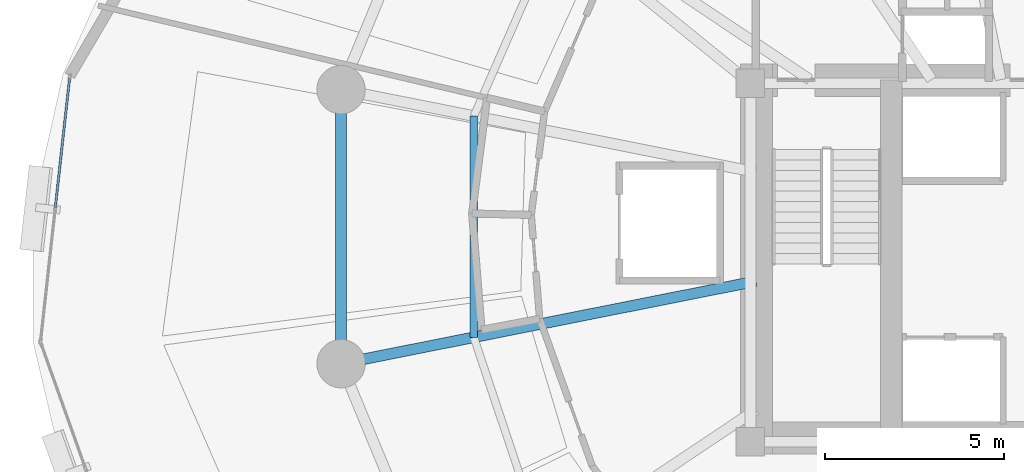
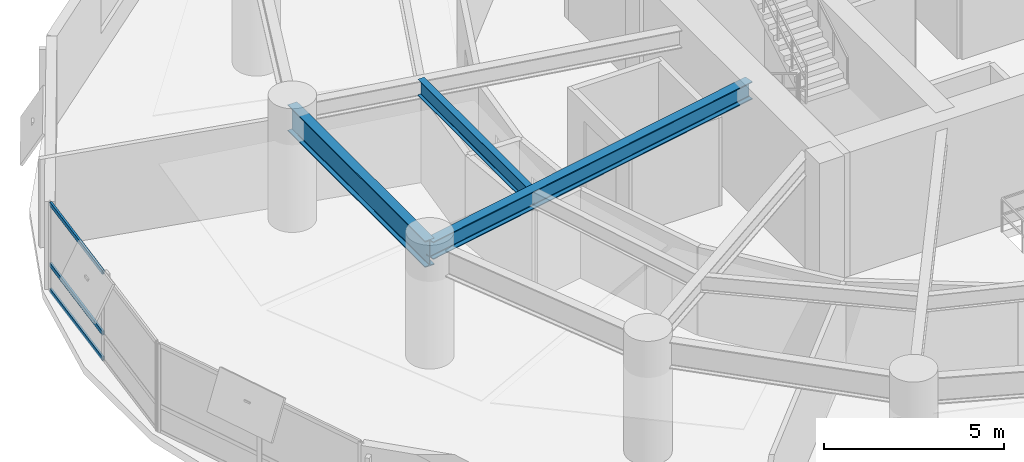
# One storey, part 5 of 17: 3 beams, 3 members, 1 element without a shape of its own.
"""IFC4 building model written with IfcOpenShell, lengths in metres."""

from ifc_helpers import new_model, si_unit, direction, frame, origin, origin_2d, place, context, subcontext, project, spatial, hollow_rectangle, i_section, extrude, material, layer, layer_set, material_profile, profile_set, type_object, element, aggregate, save


model = new_model("IFC4")

# Units and contexts
model_context = context("Model", 3, precision=1e-05, world=origin(), true_north=direction((0.0, 1.0)))
body_context = subcontext(model_context, "Body", "Model", "MODEL_VIEW")
ifc_project = project(units=[si_unit("LENGTHUNIT", "METRE"), si_unit("AREAUNIT", "SQUARE_METRE"), si_unit("VOLUMEUNIT", "CUBIC_METRE"), si_unit("PLANEANGLEUNIT", "RADIAN"), si_unit("MASSUNIT", "GRAM", prefix="KILO"), si_unit("THERMODYNAMICTEMPERATUREUNIT", "KELVIN"), si_unit("POWERUNIT", "WATT")], contexts=[model_context])

# Site, building, storey
site_placement = place(None, origin())
site = spatial("IfcSite", under=ifc_project, at=site_placement, CompositionType="ELEMENT")
building_placement = place(site_placement, origin())
building = spatial("IfcBuilding", under=site, at=building_placement, Name="Ocrelia Relay Tower", CompositionType="ELEMENT")
storey_placement = place(building_placement, frame((0.0, 0.0, 59.39990234375)))
storey = spatial("IfcBuildingStorey", under=building, at=storey_placement, Name="L13", CompositionType="ELEMENT", Elevation=59.39990234375)

# Beams
ifc_material_1 = material(Name="Steel S355", Category="steel")
ifc_material_profile_1 = material_profile(ifc_material_1, i_section(OverallWidth=0.300048828125, OverallDepth=0.60009765625, WebThickness=0.015380859375, FlangeThickness=0.030029296875, FilletRadius=0.027099609375, at=origin_2d()), Name="HEB 600")
ifc_profile_set_1 = profile_set([ifc_material_profile_1], Name="Steel S355")
beam_type_1 = type_object("IfcBeamType", Name="BM-HEB600", PredefinedType="BEAM", material=ifc_profile_set_1)
beam_1_placement = place(storey_placement, frame((14.776611328125, 22.17626953125, 3.6201171875), z_axis=(0.980786938484, 0.195081986098, 0.0), x_axis=(-0.195081986098, 0.980786938484, 0.0)))
element("IfcBeam", 1, at=beam_1_placement, inside=storey, type_object=beam_type_1, Name="L13 Radial Floor Girder R09", PredefinedType="BEAM", context=body_context, shape_type="SweptSolid", body=[
    extrude(i_section(OverallWidth=0.300048828125, OverallDepth=0.60009765625, WebThickness=0.015380859375, FlangeThickness=0.030029296875, FilletRadius=0.027099609375, at=origin_2d()), origin(), (0.0, 0.0, 1.0), 11.80517578125),
])
ifc_material_profile_2 = material_profile(ifc_material_1, i_section(OverallWidth=0.300048828125, OverallDepth=0.89990234375, WebThickness=0.0185546875, FlangeThickness=0.034912109375, FilletRadius=0.030029296875, at=origin_2d()), Name="HEB 900")
ifc_profile_set_2 = profile_set([ifc_material_profile_2], Name="Steel S355")
beam_type_2 = type_object("IfcBeamType", Name="BM-HEB900", PredefinedType="BEAM", material=ifc_profile_set_2)
beam_2_placement = place(storey_placement, frame((14.776611328125, 29.82373046875, 3.47021484375), z_axis=(0.0, -1.0, 0.0), x_axis=(1.0, 0.0, 0.0)))
element("IfcBeam", 2, at=beam_2_placement, inside=storey, type_object=beam_type_2, Name="L13 Perimeter Spandrel Beam S08", PredefinedType="BEAM", context=body_context, shape_type="SweptSolid", body=[
    extrude(i_section(OverallWidth=0.300048828125, OverallDepth=0.89990234375, WebThickness=0.0185546875, FlangeThickness=0.034912109375, FilletRadius=0.030029296875, at=origin_2d()), origin(), (0.0, 0.0, 1.0), 7.6474609375),
])
ifc_material_profile_3 = material_profile(ifc_material_1, i_section(OverallWidth=0.2099609375, OverallDepth=0.550048828125, WebThickness=0.010986328125, FlangeThickness=0.01708984375, FilletRadius=0.02392578125, at=origin_2d()), Name="IPE 550")
ifc_profile_set_3 = profile_set([ifc_material_profile_3], Name="Steel S355")
beam_type_3 = type_object("IfcBeamType", Name="BM-IPE550", PredefinedType="JOIST", material=ifc_profile_set_3)
beam_3_placement = place(storey_placement, frame((18.481689453125, 29.0869140625, 3.64501953125), z_axis=(0.0, -1.0, 0.0), x_axis=(1.0, 0.0, 0.0)))
element("IfcBeam", 3, at=beam_3_placement, inside=storey, type_object=beam_type_3, Name="L13 Secondary Floor Joist J08", PredefinedType="JOIST", context=body_context, shape_type="SweptSolid", body=[
    extrude(i_section(OverallWidth=0.2099609375, OverallDepth=0.550048828125, WebThickness=0.010986328125, FlangeThickness=0.01708984375, FilletRadius=0.02392578125, at=origin_2d()), origin(), (0.0, 0.0, 1.0), 6.173828125),
])

# Curtain wall, members
ifc_material_2 = material(Name="Aluminium and solar-control low-E glass", Category="aluminium")
ifc_layer = layer(ifc_material_2, 0.179931640625, Name="Aluminium and solar-control low-E glass")
ifc_layer_set = layer_set([ifc_layer], Name="Aluminium and solar-control low-E glass")
curtain_wall_type = type_object("IfcCurtainWallType", Name="CW-SYS-Z1-DATA", PredefinedType="NOTDEFINED", material=ifc_layer_set)
curtain_wall_placement = place(storey_placement, origin())
curtain_wall = element("IfcCurtainWall", 4, at=curtain_wall_placement, inside=storey, type_object=curtain_wall_type, Name="L13 Elliptical Tower Curtain Wall Bay 09", PredefinedType="NOTDEFINED")
ifc_material_3 = material(Name="Anodised bronze aluminium", Category="aluminium")
ifc_material_profile_4 = material_profile(ifc_material_3, hollow_rectangle(XDim=0.06494140625, YDim=0.139892578125, WallThickness=0.0048828125, at=origin_2d()), Name="CW-TRN-140x65")
ifc_profile_set_4 = profile_set([ifc_material_profile_4], Name="Anodised bronze aluminium")
member_type = type_object("IfcMemberType", Name="CW-SYS-Z1-DATA-TRN", PredefinedType="USERDEFINED", material=ifc_profile_set_4)
member_1_placement = place(storey_placement, frame((7.200927734375, 30.14111328125, 0.03271484375), z_axis=(-0.109885646508, -0.993944236208, 0.0), x_axis=(0.993944236208, -0.109885646508, 0.0)))
member_1 = element("IfcMember", 5, at=member_1_placement, type_object=member_type, Name="CW-Z1 transom 1.1", ObjectType="TRANSOM", PredefinedType="USERDEFINED", context=body_context, shape_type="SweptSolid", body=[
    extrude(hollow_rectangle(XDim=0.06494140625, YDim=0.139892578125, WallThickness=0.0048828125, at=origin_2d()), origin(), (0.0, 0.0, 1.0), 3.632568359375),
])
member_2_placement = place(storey_placement, frame((7.200927734375, 30.14111328125, 0.900146484375), z_axis=(-0.109885646508, -0.993944236208, 0.0), x_axis=(0.993944236208, -0.109885646508, 0.0)))
member_2 = element("IfcMember", 6, at=member_2_placement, type_object=member_type, Name="CW-Z1 transom 1.2", ObjectType="TRANSOM", PredefinedType="USERDEFINED", context=body_context, shape_type="SweptSolid", body=[
    extrude(hollow_rectangle(XDim=0.06494140625, YDim=0.139892578125, WallThickness=0.0048828125, at=origin_2d()), origin(), (0.0, 0.0, 1.0), 3.632568359375),
])
member_3_placement = place(storey_placement, frame((7.200927734375, 30.14111328125, 2.967529296875), z_axis=(-0.109885646508, -0.993944236208, 0.0), x_axis=(0.993944236208, -0.109885646508, 0.0)))
member_3 = element("IfcMember", 7, at=member_3_placement, type_object=member_type, Name="CW-Z1 transom 1.3", ObjectType="TRANSOM", PredefinedType="USERDEFINED", context=body_context, shape_type="SweptSolid", body=[
    extrude(hollow_rectangle(XDim=0.06494140625, YDim=0.139892578125, WallThickness=0.0048828125, at=origin_2d()), origin(), (0.0, 0.0, 1.0), 3.632568359375),
])
aggregate(curtain_wall, [member_1, member_2, member_3])

save(model, "model.ifc")
